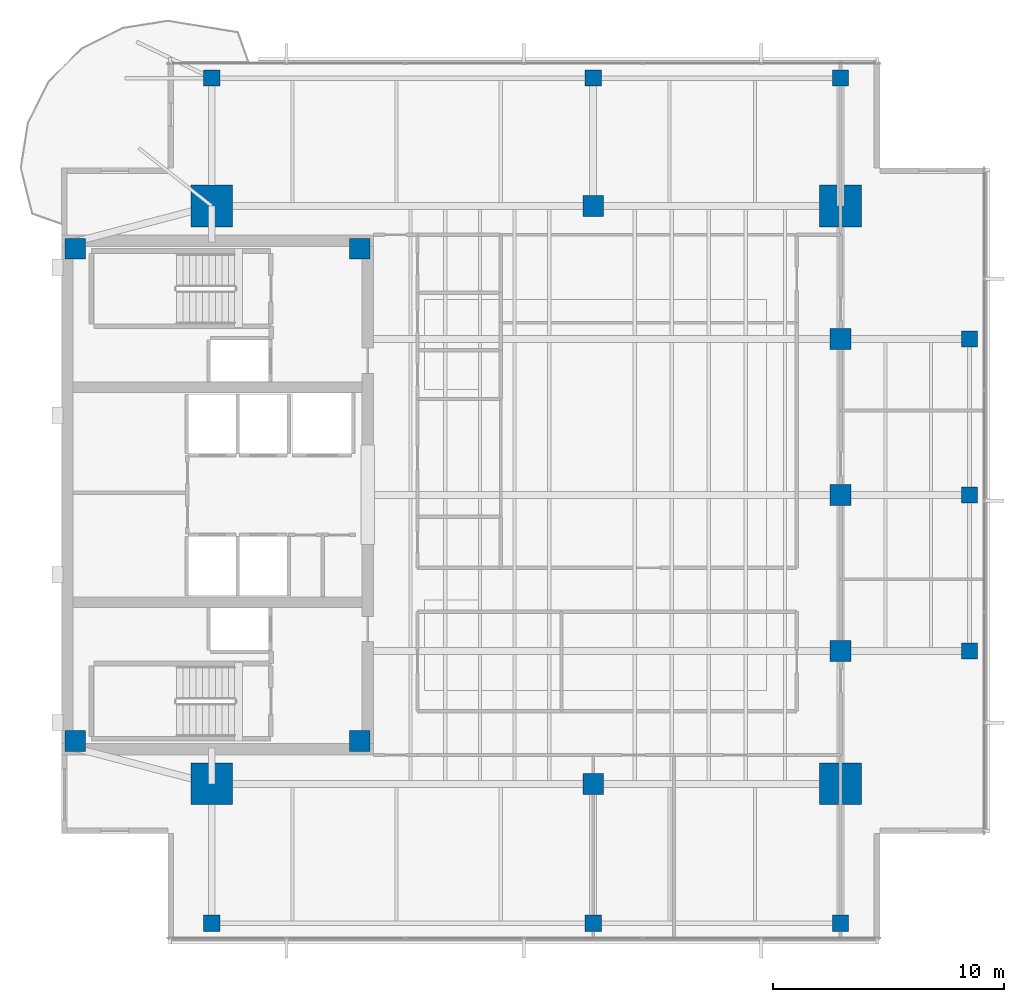
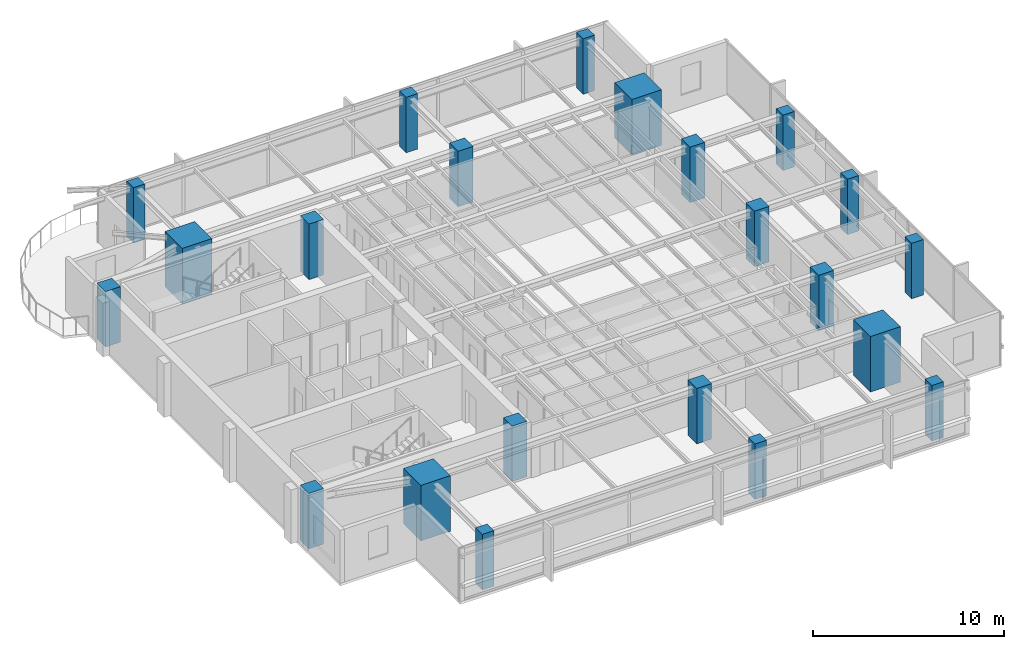
# One storey, part 1 of 14: 22 columns.
"""IFC4 building model written with IfcOpenShell, lengths in metres."""

from ifc_helpers import new_model, si_unit, direction, frame, origin, origin_2d, place, context, subcontext, project, spatial, rectangle, extrude, material, material_profile, profile_set, type_object, element, save


model = new_model("IFC4")

# Units and contexts
model_context = context("Model", 3, precision=1e-05, world=origin(), true_north=direction((0.0, 1.0)))
body_context = subcontext(model_context, "Body", "Model", "MODEL_VIEW")
ifc_project = project(units=[si_unit("LENGTHUNIT", "METRE"), si_unit("AREAUNIT", "SQUARE_METRE"), si_unit("VOLUMEUNIT", "CUBIC_METRE"), si_unit("PLANEANGLEUNIT", "RADIAN"), si_unit("MASSUNIT", "GRAM", prefix="KILO")], contexts=[model_context])

# Site, building, storey
site_placement = place(None, origin())
site = spatial("IfcSite", under=ifc_project, at=site_placement, CompositionType="ELEMENT")
building_placement = place(site_placement, origin())
building = spatial("IfcBuilding", under=site, at=building_placement, Name="Kinhvarn Gate Tower", CompositionType="ELEMENT")
storey_placement = place(building_placement, frame((0.0, 0.0, 270.550048828125)))
storey = spatial("IfcBuildingStorey", under=building, at=storey_placement, Name="L72", CompositionType="ELEMENT", Elevation=270.550048828125)

# Columns
ifc_material_1 = material(Name="Concrete C60/75", Category="concrete")
ifc_material_profile_1 = material_profile(ifc_material_1, rectangle(XDim=1.800048828125, YDim=1.800048828125, at=origin_2d()), Name="RC 1800x1800")
ifc_profile_set_1 = profile_set([ifc_material_profile_1], Name="Concrete C60/75")
column_type_1 = type_object("IfcColumnType", Name="COL-MC-1800", PredefinedType="COLUMN", material=ifc_profile_set_1)
for number, where, z_axis, x_axis, name in (
    (1, (11.0, 12.75, 0.0), (0.0, 0.0, 1.0), (1.0, 0.0, 0.0), "Column MC1-L72 (MC-18)"),
    (2, (11.0, 37.75, 0.0), (0.0, 0.0, 1.0), (1.0, 0.0, 0.0), "Column MC4-L72 (MC-18)"),
    (3, (38.199951171875, 12.75, 0.0), (0.0, 0.0, 1.0), (1.0, 0.0, 0.0), "Column MC2-L72 (MC-18)"),
    (4, (38.199951171875, 37.75, 0.0), (0.0, 0.0, 1.0), (1.0, 0.0, 0.0), "Column MC3-L72 (MC-18)"),
):
    element("IfcColumn", number, at=place(storey_placement, frame(where, z_axis=z_axis, x_axis=x_axis)), inside=storey, type_object=column_type_1, Name=name, PredefinedType="COLUMN", context=body_context, shape_type="SweptSolid", body=[
        extrude(rectangle(XDim=1.800048828125, YDim=1.800048828125, at=origin_2d()), origin(), (0.0, 0.0, 1.0), 3.550048828125),
    ])
ifc_material_2 = material(Name="Concrete C50/60", Category="concrete")
ifc_material_profile_2 = material_profile(ifc_material_2, rectangle(XDim=0.699951171875, YDim=0.699951171875, at=origin_2d()), Name="RC 700x700")
ifc_profile_set_2 = profile_set([ifc_material_profile_2], Name="Concrete C50/60")
column_type_2 = type_object("IfcColumnType", Name="COL-RC-700", PredefinedType="COLUMN", material=ifc_profile_set_2)
for number, where, z_axis, x_axis, name in (
    (5, (43.780029296875, 18.5, 0.0), (0.0, 0.0, 1.0), (1.0, 0.0, 0.0), "Column CE-1-L72 (C-070)"),
    (6, (43.780029296875, 25.25, 0.0), (0.0, 0.0, 1.0), (1.0, 0.0, 0.0), "Column CE-2-L72 (C-070)"),
    (7, (43.780029296875, 32.0, 0.0), (0.0, 0.0, 1.0), (1.0, 0.0, 0.0), "Column CE-3-L72 (C-070)"),
    (8, (11.0, 6.719970703125, 0.0), (0.0, 0.0, 1.0), (1.0, 0.0, 0.0), "Column CS-0-L72 (C-070)"),
    (9, (27.5, 6.719970703125, 0.0), (0.0, 0.0, 1.0), (1.0, 0.0, 0.0), "Column CS-1-L72 (C-070)"),
    (10, (38.199951171875, 6.719970703125, 0.0), (0.0, 0.0, 1.0), (1.0, 0.0, 0.0), "Column CS-2-L72 (C-070)"),
    (11, (11.0, 43.280029296875, 0.0), (0.0, 0.0, 1.0), (1.0, 0.0, 0.0), "Column CN-0-L72 (C-070)"),
    (12, (27.5, 43.280029296875, 0.0), (0.0, 0.0, 1.0), (1.0, 0.0, 0.0), "Column CN-1-L72 (C-070)"),
    (13, (38.199951171875, 43.280029296875, 0.0), (0.0, 0.0, 1.0), (1.0, 0.0, 0.0), "Column CN-2-L72 (C-070)"),
):
    element("IfcColumn", number, at=place(storey_placement, frame(where, z_axis=z_axis, x_axis=x_axis)), inside=storey, type_object=column_type_2, Name=name, PredefinedType="COLUMN", context=body_context, shape_type="SweptSolid", body=[
        extrude(rectangle(XDim=0.699951171875, YDim=0.699951171875, at=origin_2d()), origin(), (0.0, 0.0, 1.0), 3.550048828125),
    ])
ifc_material_profile_3 = material_profile(ifc_material_1, rectangle(XDim=0.89990234375, YDim=0.89990234375, at=origin_2d()), Name="RC 900x900")
ifc_profile_set_3 = profile_set([ifc_material_profile_3], Name="Concrete C60/75")
column_type_3 = type_object("IfcColumnType", Name="COL-RC-900", PredefinedType="COLUMN", material=ifc_profile_set_3)
for number, where, z_axis, x_axis, name in (
    (14, (27.5, 12.75, 0.0), (0.0, 0.0, 1.0), (1.0, 0.0, 0.0), "Column SP27-S-L72 (C-090)"),
    (15, (27.5, 37.75, 0.0), (0.0, 0.0, 1.0), (1.0, 0.0, 0.0), "Column SP27-N-L72 (C-090)"),
    (16, (38.199951171875, 18.5, 0.0), (0.0, 0.0, 1.0), (1.0, 0.0, 0.0), "Column SP38-E1-L72 (C-090)"),
    (17, (38.199951171875, 25.25, 0.0), (0.0, 0.0, 1.0), (1.0, 0.0, 0.0), "Column SP38-E2-L72 (C-090)"),
    (18, (38.199951171875, 32.0, 0.0), (0.0, 0.0, 1.0), (1.0, 0.0, 0.0), "Column SP38-E3-L72 (C-090)"),
):
    element("IfcColumn", number, at=place(storey_placement, frame(where, z_axis=z_axis, x_axis=x_axis)), inside=storey, type_object=column_type_3, Name=name, PredefinedType="COLUMN", context=body_context, shape_type="SweptSolid", body=[
        extrude(rectangle(XDim=0.89990234375, YDim=0.89990234375, at=origin_2d()), origin(), (0.0, 0.0, 1.0), 3.550048828125),
    ])
ifc_material_profile_4 = material_profile(ifc_material_2, rectangle(XDim=0.89990234375, YDim=0.89990234375, at=origin_2d()), Name="RC 900x900")
ifc_profile_set_4 = profile_set([ifc_material_profile_4], Name="Concrete C50/60")
column_type_4 = type_object("IfcColumnType", Name="PIL-RC-900", PredefinedType="PILASTER", material=ifc_profile_set_4)
for number, where, z_axis, x_axis, name in (
    (19, (5.10009765625, 14.60009765625, 0.0), (0.0, 0.0, 1.0), (1.0, 0.0, 0.0), "Column CC-SW-L72 (CP-090)"),
    (20, (5.10009765625, 35.89990234375, 0.0), (0.0, 0.0, 1.0), (1.0, 0.0, 0.0), "Column CC-NW-L72 (CP-090)"),
    (21, (17.39990234375, 14.60009765625, 0.0), (0.0, 0.0, 1.0), (1.0, 0.0, 0.0), "Column CC-SE-L72 (CP-090)"),
    (22, (17.39990234375, 35.89990234375, 0.0), (0.0, 0.0, 1.0), (1.0, 0.0, 0.0), "Column CC-NE-L72 (CP-090)"),
):
    element("IfcColumn", number, at=place(storey_placement, frame(where, z_axis=z_axis, x_axis=x_axis)), inside=storey, type_object=column_type_4, Name=name, PredefinedType="PILASTER", context=body_context, shape_type="SweptSolid", body=[
        extrude(rectangle(XDim=0.89990234375, YDim=0.89990234375, at=origin_2d()), origin(), (0.0, 0.0, 1.0), 3.550048828125),
    ])

save(model, "model.ifc")
